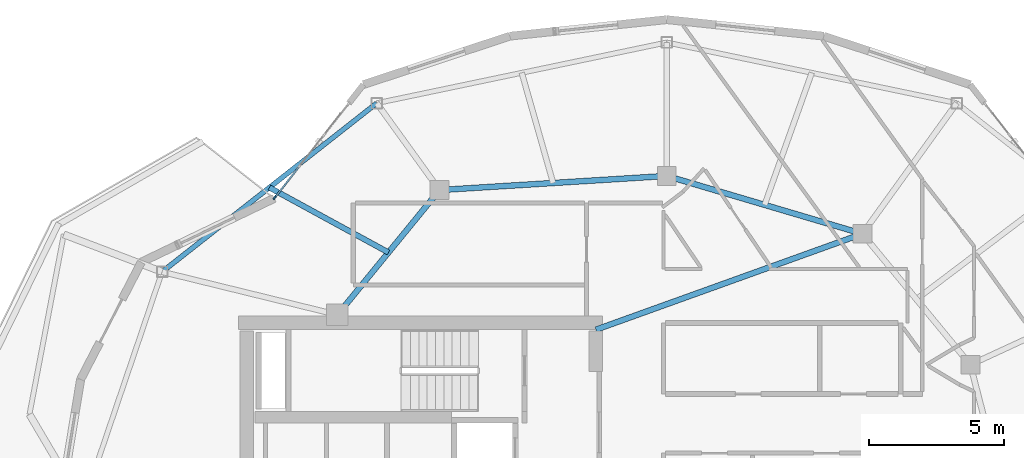
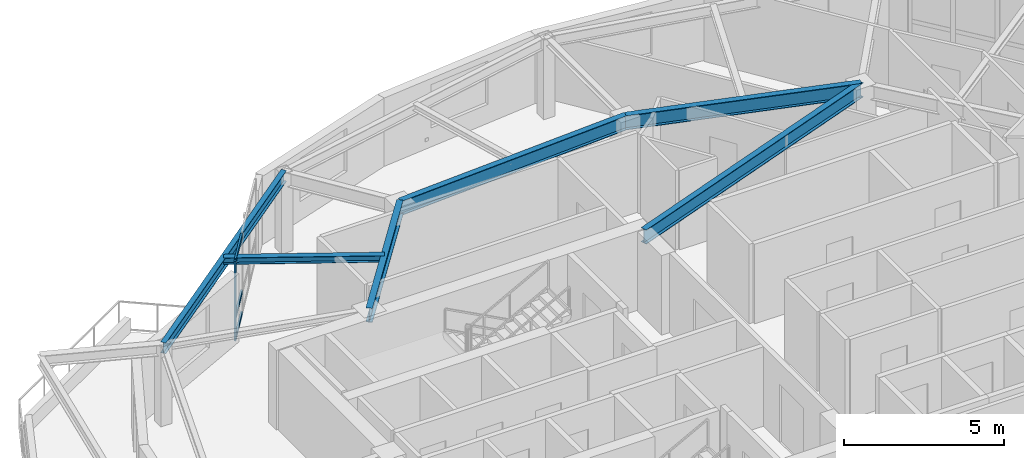
# One storey, part 3 of 14: 6 beams, 4 members, 1 element without a shape of its own.
"""IFC4 building model written with IfcOpenShell, lengths in metres."""

from ifc_helpers import new_model, si_unit, direction, frame, origin, origin_2d, place, context, subcontext, project, spatial, rectangle, i_section, extrude, material, layer, layer_set, material_profile, profile_set, type_object, element, aggregate, save


model = new_model("IFC4")

# Units and contexts
model_context = context("Model", 3, precision=1e-05, world=origin(), true_north=direction((0.0, 1.0)))
body_context = subcontext(model_context, "Body", "Model", "MODEL_VIEW")
ifc_project = project(units=[si_unit("LENGTHUNIT", "METRE"), si_unit("AREAUNIT", "SQUARE_METRE"), si_unit("VOLUMEUNIT", "CUBIC_METRE"), si_unit("PLANEANGLEUNIT", "RADIAN"), si_unit("MASSUNIT", "GRAM", prefix="KILO")], contexts=[model_context])

# Site, building, storey
site_placement = place(None, origin())
site = spatial("IfcSite", under=ifc_project, at=site_placement, CompositionType="ELEMENT")
building_placement = place(site_placement, origin())
building = spatial("IfcBuilding", under=site, at=building_placement, Name="Kolvaren Gate Tower and Convention Centre", CompositionType="ELEMENT")
storey_placement = place(building_placement, frame((0.0, 0.0, 245.89990234375)))
storey = spatial("IfcBuildingStorey", under=building, at=storey_placement, Name="L66", CompositionType="ELEMENT", Elevation=245.89990234375)

# Curtain wall, members
ifc_material_1 = material(Name="Anodized Architectural Aluminium Alloy 6063-T6", Category="aluminium")
ifc_layer = layer(ifc_material_1, 0.159912109375)
ifc_layer_set = layer_set([ifc_layer], Name="Anodized Architectural Aluminium Alloy 6063-T6")
curtain_wall_type = type_object("IfcCurtainWallType", Name="CW-RES-UNIT", PredefinedType="NOTDEFINED", material=ifc_layer_set)
curtain_wall_placement = place(storey_placement, origin())
curtain_wall = element("IfcCurtainWall", 1, at=curtain_wall_placement, inside=storey, type_object=curtain_wall_type, Name="Tower L66 Unitised Curtain Wall CW-RES-UNIT Bay 08", PredefinedType="NOTDEFINED")
ifc_material_profile_1 = material_profile(ifc_material_1, rectangle(XDim=0.06494140625, YDim=0.159912109375, at=origin_2d()), Name="CW-MEM-MUL-160")
ifc_profile_set_1 = profile_set([ifc_material_profile_1], Name="Anodized Architectural Aluminium Alloy 6063-T6")
member_type_1 = type_object("IfcMemberType", Name="CW-MEM-MUL-160", PredefinedType="MULLION", material=ifc_profile_set_1)
member_1_placement = place(storey_placement, frame((15.5927734375, 38.39599609375, 0.0), z_axis=(0.0, 0.0, 1.0), x_axis=(-0.787413633564, 0.61642499112, 0.0)))
member_1 = element("IfcMember", 2, at=member_1_placement, type_object=member_type_1, Name="CW-04 mullion 1", PredefinedType="MULLION", context=body_context, shape_type="SweptSolid", body=[
    extrude(rectangle(XDim=0.06494140625, YDim=0.159912109375, at=origin_2d()), origin(), (0.0, 0.0, 1.0), 3.030029296875),
])
ifc_material_profile_2 = material_profile(ifc_material_1, rectangle(XDim=0.06494140625, YDim=0.159912109375, at=origin_2d()), Name="CW-MEM-TRN-160")
ifc_profile_set_2 = profile_set([ifc_material_profile_2], Name="Anodized Architectural Aluminium Alloy 6063-T6")
member_type_2 = type_object("IfcMemberType", Name="CW-MEM-TRN-160", PredefinedType="USERDEFINED", material=ifc_profile_set_2)
member_2_placement = place(storey_placement, frame((15.61279296875, 38.42138671875, 0.03271484375), z_axis=(0.616407273095, 0.787427503758, 0.0), x_axis=(-0.787427503758, 0.616407273095, 0.0)))
member_2 = element("IfcMember", 3, at=member_2_placement, type_object=member_type_2, Name="CW-04 transom 1.1", ObjectType="TRANSOM", PredefinedType="USERDEFINED", context=body_context, shape_type="SweptSolid", body=[
    extrude(rectangle(XDim=0.06494140625, YDim=0.159912109375, at=origin_2d()), origin(), (0.0, 0.0, 1.0), 1.396240234375),
])
member_3_placement = place(storey_placement, frame((15.61279296875, 38.42138671875, 0.85009765625), z_axis=(0.616407273095, 0.787427503758, 0.0), x_axis=(-0.787427503758, 0.616407273095, 0.0)))
member_3 = element("IfcMember", 4, at=member_3_placement, type_object=member_type_2, Name="CW-04 transom 1.2", ObjectType="TRANSOM", PredefinedType="USERDEFINED", context=body_context, shape_type="SweptSolid", body=[
    extrude(rectangle(XDim=0.06494140625, YDim=0.159912109375, at=origin_2d()), origin(), (0.0, 0.0, 1.0), 1.396240234375),
])
member_4_placement = place(storey_placement, frame((15.61279296875, 38.42138671875, 2.99755859375), z_axis=(0.616407273095, 0.787427503758, 0.0), x_axis=(-0.787427503758, 0.616407273095, 0.0)))
member_4 = element("IfcMember", 5, at=member_4_placement, type_object=member_type_2, Name="CW-04 transom 1.3", ObjectType="TRANSOM", PredefinedType="USERDEFINED", context=body_context, shape_type="SweptSolid", body=[
    extrude(rectangle(XDim=0.06494140625, YDim=0.159912109375, at=origin_2d()), origin(), (0.0, 0.0, 1.0), 1.396240234375),
])
aggregate(curtain_wall, [member_1, member_2, member_3, member_4])

# Beams
ifc_material_2 = material(Name="Structural steel ASTM A992 Grade 345 MPa", Category="steel")
ifc_material_profile_3 = material_profile(ifc_material_2, i_section(OverallWidth=0.2119140625, OverallDepth=0.5439453125, WebThickness=0.01318359375, FlangeThickness=0.021240234375, at=origin_2d()), Name="W530X123")
ifc_profile_set_3 = profile_set([ifc_material_profile_3], Name="Structural steel ASTM A992 Grade 345 MPa")
beam_type_1 = type_object("IfcBeamType", Name="STR-BM-W530X123", PredefinedType="BEAM", material=ifc_profile_set_3)
beam_1_placement = place(storey_placement, frame((37.381591796875, 37.054931640625, 2.758056640625), z_axis=(-0.958980837827, 0.283470902706, 0.0), x_axis=(-0.283470902706, -0.958980837827, 0.0)))
element("IfcBeam", 6, at=beam_1_placement, inside=storey, type_object=beam_type_1, Name="Tower L66 Primary Ring Girder G-03", PredefinedType="BEAM", context=body_context, shape_type="SweptSolid", body=[
    extrude(i_section(OverallWidth=0.2119140625, OverallDepth=0.5439453125, WebThickness=0.01318359375, FlangeThickness=0.021240234375, at=origin_2d()), origin(), (0.0, 0.0, 1.0), 7.56689453125),
])
beam_2_placement = place(storey_placement, frame((30.125, 39.199951171875, 2.758056640625), z_axis=(-0.998078258568, -0.06196603726, 0.0), x_axis=(0.06196603726, -0.998078258568, 0.0)))
element("IfcBeam", 7, at=beam_2_placement, inside=storey, type_object=beam_type_1, Name="Tower L66 Primary Ring Girder G-04", PredefinedType="BEAM", context=body_context, shape_type="SweptSolid", body=[
    extrude(i_section(OverallWidth=0.2119140625, OverallDepth=0.5439453125, WebThickness=0.01318359375, FlangeThickness=0.021240234375, at=origin_2d()), origin(), (0.0, 0.0, 1.0), 8.443115234375),
])
beam_3_placement = place(storey_placement, frame((21.697998046875, 38.6767578125, 2.758056640625), z_axis=(-0.633082074904, -0.774084676528, 0.0), x_axis=(0.774084676528, -0.633082074904, 0.0)))
element("IfcBeam", 8, at=beam_3_placement, inside=storey, type_object=beam_type_1, Name="Tower L66 Primary Ring Girder G-05", PredefinedType="BEAM", context=body_context, shape_type="SweptSolid", body=[
    extrude(i_section(OverallWidth=0.2119140625, OverallDepth=0.5439453125, WebThickness=0.01318359375, FlangeThickness=0.021240234375, at=origin_2d()), origin(), (0.0, 0.0, 1.0), 5.97705078125),
])
beam_4_placement = place(storey_placement, frame((27.5, 33.5, 2.758056640625), z_axis=(0.940961479908, 0.338513653093, 0.0), x_axis=(-0.338513653093, 0.940961479908, 0.0)))
element("IfcBeam", 9, at=beam_4_placement, inside=storey, type_object=beam_type_1, Name="Tower L66 Primary Ring Girder G-10", PredefinedType="BEAM", context=body_context, shape_type="SweptSolid", body=[
    extrude(i_section(OverallWidth=0.2119140625, OverallDepth=0.5439453125, WebThickness=0.01318359375, FlangeThickness=0.021240234375, at=origin_2d()), origin(), (0.0, 0.0, 1.0), 10.501708984375),
])
ifc_material_profile_4 = material_profile(ifc_material_2, i_section(OverallWidth=0.202880859375, OverallDepth=0.251953125, WebThickness=0.008056640625, FlangeThickness=0.013427734375, at=origin_2d()), Name="W250X58")
ifc_profile_set_4 = profile_set([ifc_material_profile_4], Name="Structural steel ASTM A992 Grade 345 MPa")
beam_type_2 = type_object("IfcBeamType", Name="STR-JS-W250X58", PredefinedType="JOIST", material=ifc_profile_set_4)
beam_5_placement = place(storey_placement, frame((19.805908203125, 36.36328125, 2.904052734375), z_axis=(-0.8778621722, 0.478913360244, 0.0), x_axis=(-0.478913360244, -0.8778621722, 0.0)))
element("IfcBeam", 10, at=beam_5_placement, inside=storey, type_object=beam_type_2, Name="Tower L66 Secondary Composite Floor Joist J-05.1", PredefinedType="JOIST", context=body_context, shape_type="SweptSolid", body=[
    extrude(i_section(OverallWidth=0.202880859375, OverallDepth=0.251953125, WebThickness=0.008056640625, FlangeThickness=0.013427734375, at=origin_2d()), origin(), (0.0, 0.0, 1.0), 5.028564453125),
])
ifc_material_profile_5 = material_profile(ifc_material_2, i_section(OverallWidth=0.180908203125, OverallDepth=0.4169921875, WebThickness=0.010986328125, FlangeThickness=0.018310546875, at=origin_2d()), Name="W410X85")
ifc_profile_set_5 = profile_set([ifc_material_profile_5], Name="Structural steel ASTM A992 Grade 345 MPa")
beam_type_3 = type_object("IfcBeamType", Name="STR-SP-W410X85", PredefinedType="SPANDREL", material=ifc_profile_set_5)
beam_6_placement = place(storey_placement, frame((19.372314453125, 41.899169921875, 2.821533203125), z_axis=(-0.786299093723, -0.61784604491, 0.0), x_axis=(0.61784604491, -0.786299093723, 0.0)))
element("IfcBeam", 11, at=beam_6_placement, inside=storey, type_object=beam_type_3, Name="Tower L66 Perimeter Spandrel Beam SP-05", PredefinedType="SPANDREL", context=body_context, shape_type="SweptSolid", body=[
    extrude(i_section(OverallWidth=0.180908203125, OverallDepth=0.4169921875, WebThickness=0.010986328125, FlangeThickness=0.018310546875, at=origin_2d()), origin(), (0.0, 0.0, 1.0), 10.124755859375),
])

save(model, "model.ifc")
